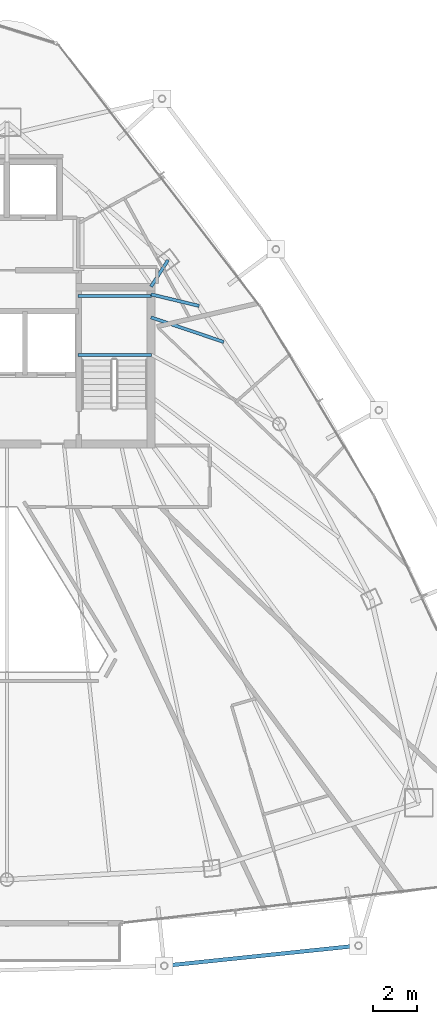
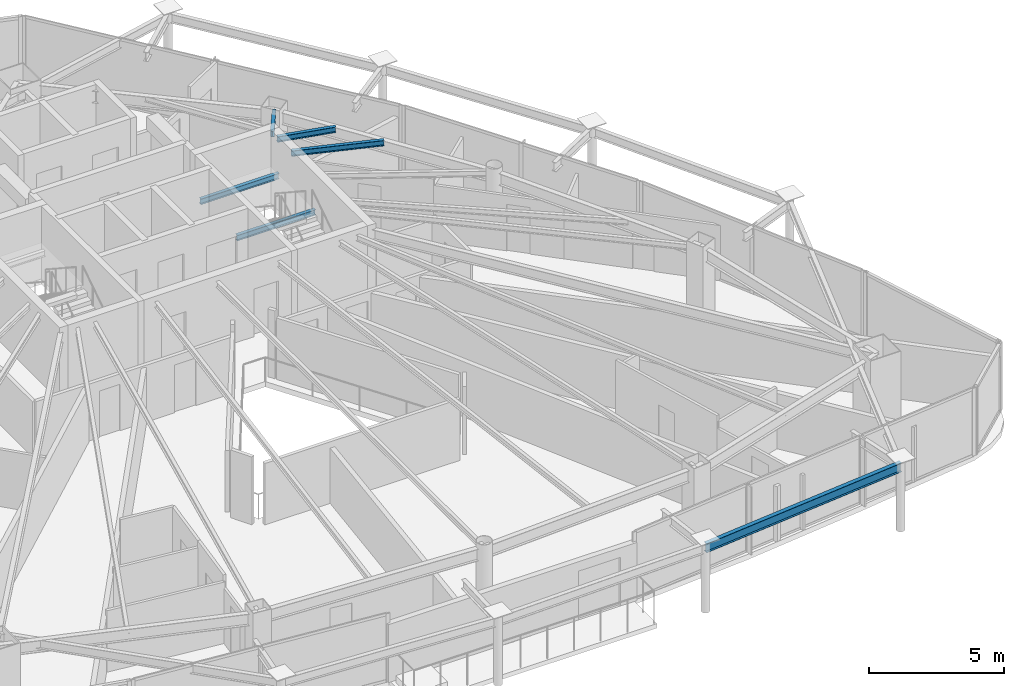
# One storey, part 13 of 32: 6 beams.
"""IFC4 building model written with IfcOpenShell, lengths in metres."""

from ifc_helpers import new_model, si_unit, direction, frame, origin, origin_2d, place, context, subcontext, project, spatial, i_section, extrude, material, material_profile, profile_set, type_object, element, save


model = new_model("IFC4")

# Units and contexts
model_context = context("Model", 3, precision=1e-05, world=origin(), true_north=direction((0.0, 1.0)))
body_context = subcontext(model_context, "Body", "Model", "MODEL_VIEW")
ifc_project = project(units=[si_unit("LENGTHUNIT", "METRE"), si_unit("AREAUNIT", "SQUARE_METRE"), si_unit("VOLUMEUNIT", "CUBIC_METRE"), si_unit("PLANEANGLEUNIT", "RADIAN"), si_unit("MASSUNIT", "GRAM", prefix="KILO")], contexts=[model_context])

# Site, building, storey
site_placement = place(None, origin())
site = spatial("IfcSite", under=ifc_project, at=site_placement, CompositionType="ELEMENT")
building_placement = place(site_placement, origin())
building = spatial("IfcBuilding", under=site, at=building_placement, Name="Orvanel Arch Residences", CompositionType="ELEMENT")
storey_placement = place(building_placement, frame((0.0, 0.0, 222.800048828125)))
storey = spatial("IfcBuildingStorey", under=building, at=storey_placement, Name="L63", CompositionType="ELEMENT", Elevation=222.800048828125)

# Beams
ifc_material = material(Name="Structural steel AS/NZS 3679.1 Grade 300 (300 MPa)", Category="steel")
ifc_material_profile_1 = material_profile(ifc_material, i_section(OverallWidth=0.14599609375, OverallDepth=0.251953125, WebThickness=0.006103515625, FlangeThickness=0.008544921875, at=origin_2d()), Name="250UB31.4")
ifc_profile_set_1 = profile_set([ifc_material_profile_1], Name="Structural steel AS/NZS 3679.1 Grade 300 (300 MPa)")
beam_type_1 = type_object("IfcBeamType", Name="BJ-250UB", PredefinedType="JOIST", material=ifc_profile_set_1)
for number, where, z_axis, x_axis, name in (
    (1, (36.25, 30.780029296875, 1.323974609375), (1.0, 0.0, 0.0), (0.0, 1.0, 0.0), "L63 ST-2 Half-Landing Support Beam 1.1"),
    (2, (36.25, 33.47998046875, 1.323974609375), (1.0, 0.0, 0.0), (0.0, 1.0, 0.0), "L63 ST-2 Half-Landing Support Beam 1.2"),
):
    element("IfcBeam", number, at=place(storey_placement, frame(where, z_axis=z_axis, x_axis=x_axis)), inside=storey, type_object=beam_type_1, Name=name, PredefinedType="JOIST", context=body_context, shape_type="SweptSolid", body=[
        extrude(i_section(OverallWidth=0.14599609375, OverallDepth=0.251953125, WebThickness=0.006103515625, FlangeThickness=0.008544921875, at=origin_2d()), origin(), (0.0, 0.0, 1.0), 3.35009765625),
    ])
beam_1_placement = place(storey_placement, frame((39.574951171875, 33.89990234375, 2.933837890625), z_axis=(0.539395075146, 0.842052820735, 0.0), x_axis=(-0.842052820735, 0.539395075146, 0.0)))
element("IfcBeam", 3, at=beam_1_placement, inside=storey, type_object=beam_type_1, Name="L63 NNE Wing Floor Joist", PredefinedType="JOIST", context=body_context, shape_type="SweptSolid", body=[
    extrude(i_section(OverallWidth=0.14599609375, OverallDepth=0.251953125, WebThickness=0.006103515625, FlangeThickness=0.008544921875, at=origin_2d()), origin(), (0.0, 0.0, 1.0), 1.440673828125),
])
beam_2_placement = place(storey_placement, frame((39.574951171875, 32.5, 2.933837890625), z_axis=(0.947159269453, -0.320763648641, 0.0), x_axis=(0.320763648641, 0.947159269453, 0.0)))
element("IfcBeam", 4, at=beam_2_placement, inside=storey, type_object=beam_type_1, Name="L63 ENE Wing Floor Joist", PredefinedType="JOIST", context=body_context, shape_type="SweptSolid", body=[
    extrude(i_section(OverallWidth=0.14599609375, OverallDepth=0.251953125, WebThickness=0.006103515625, FlangeThickness=0.008544921875, at=origin_2d()), origin(), (0.0, 0.0, 1.0), 3.501220703125),
])
beam_3_placement = place(storey_placement, frame((39.574951171875, 33.550048828125, 2.933837890625), z_axis=(0.972256833016, -0.23391590509, 0.0), x_axis=(0.23391590509, 0.972256833016, 0.0)))
element("IfcBeam", 5, at=beam_3_placement, inside=storey, type_object=beam_type_1, Name="L63 JADD4 Wing Floor Joist", PredefinedType="JOIST", context=body_context, shape_type="SweptSolid", body=[
    extrude(i_section(OverallWidth=0.14599609375, OverallDepth=0.251953125, WebThickness=0.006103515625, FlangeThickness=0.008544921875, at=origin_2d()), origin(), (0.0, 0.0, 1.0), 2.26171875),
])
ifc_material_profile_2 = material_profile(ifc_material, i_section(OverallWidth=0.177978515625, OverallDepth=0.406005859375, WebThickness=0.0078125, FlangeThickness=0.0126953125, at=origin_2d()), Name="410UB59.7")
ifc_profile_set_2 = profile_set([ifc_material_profile_2], Name="Structural steel AS/NZS 3679.1 Grade 300 (300 MPa)")
beam_type_2 = type_object("IfcBeamType", Name="OB-410UB-EXT", PredefinedType="SPANDREL", material=ifc_profile_set_2)
beam_4_placement = place(storey_placement, frame((40.178955078125, 2.909912109375, 2.85693359375), z_axis=(0.99462893471, 0.103504986538, 0.0), x_axis=(-0.103504986538, 0.99462893471, 0.0)))
element("IfcBeam", 6, at=beam_4_placement, inside=storey, type_object=beam_type_2, Name="L63 Outer Perimeter Floor Ring Beam 07", PredefinedType="SPANDREL", context=body_context, shape_type="SweptSolid", body=[
    extrude(i_section(OverallWidth=0.177978515625, OverallDepth=0.406005859375, WebThickness=0.0078125, FlangeThickness=0.0126953125, at=origin_2d()), origin(), (0.0, 0.0, 1.0), 8.908935546875),
])

save(model, "model.ifc")
